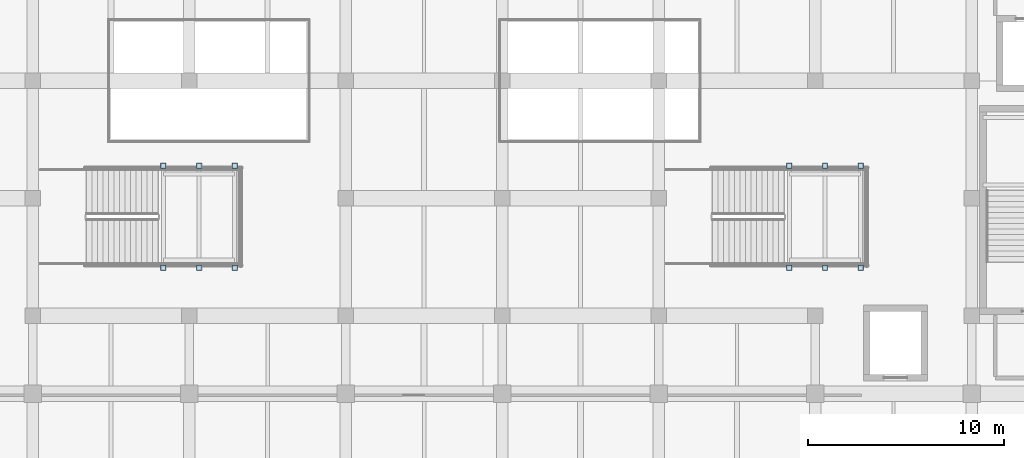
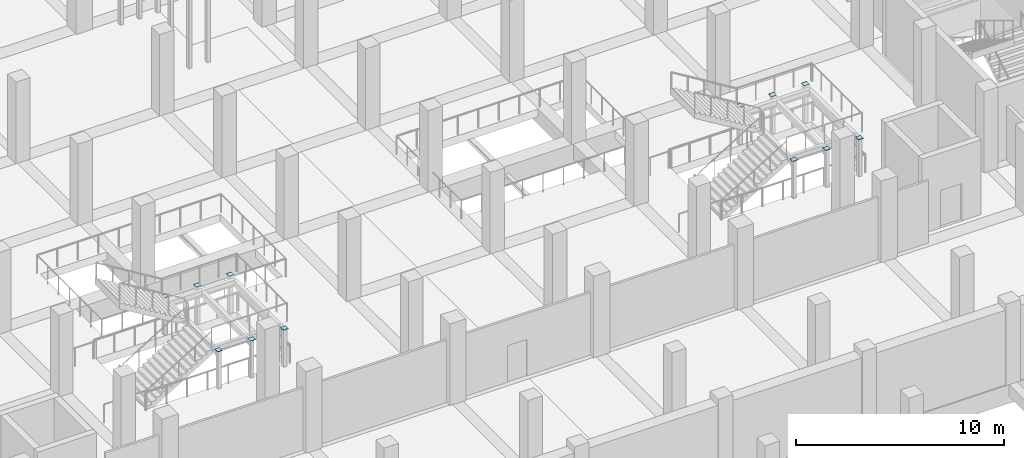
# One storey, part 19 of 36: 12 plates.
"""IFC4 building model written with IfcOpenShell, lengths in metres."""

from ifc_helpers import new_model, si_unit, direction, frame, origin, origin_2d, place, context, subcontext, project, spatial, rectangle, extrude, material, layer, layer_set, type_object, element, save


model = new_model("IFC4")

# Units and contexts
model_context = context("Model", 3, precision=1e-05, world=origin(), true_north=direction((0.0, 1.0)))
body_context = subcontext(model_context, "Body", "Model", "MODEL_VIEW")
ifc_project = project(units=[si_unit("LENGTHUNIT", "METRE"), si_unit("AREAUNIT", "SQUARE_METRE"), si_unit("VOLUMEUNIT", "CUBIC_METRE"), si_unit("PLANEANGLEUNIT", "RADIAN"), si_unit("MASSUNIT", "GRAM", prefix="KILO")], contexts=[model_context])

# Site, building, storey
site_placement = place(None, origin())
site = spatial("IfcSite", under=ifc_project, at=site_placement, CompositionType="ELEMENT")
building_placement = place(site_placement, origin())
building = spatial("IfcBuilding", under=site, at=building_placement, Name="Verrall Gate Interchange", CompositionType="ELEMENT")
storey_placement = place(building_placement, frame((0.0, 0.0, -4.800048828125)))
storey = spatial("IfcBuildingStorey", under=building, at=storey_placement, Name="B1", CompositionType="ELEMENT", Elevation=-4.800048828125)

# Plates
ifc_material = material(Name="Structural Steel CSA G40.21 350WT Cat 4", Category="steel")
ifc_layer = layer(ifc_material, 0.02001953125)
ifc_layer_set = layer_set([ifc_layer], Name="Structural Steel CSA G40.21 350WT Cat 4")
plate_type = type_object("IfcPlateType", Name="GP-01 Gusset Plate 20", PredefinedType="SHEET", material=ifc_layer_set)
for number, where, z_axis, x_axis, name in (
    (1, (58.669921875, 18.43994140625, 2.2099609375), (0.0, 0.0, 1.0), (1.0, 0.0, 0.0), "B1 ST-10 Cradle Cap Plate"),
    (2, (58.669921875, 23.659912109375, 2.2099609375), (0.0, 0.0, 1.0), (1.0, 0.0, 0.0), "B1 ST-10 Cradle Cap Plate"),
    (3, (60.4951171875, 18.43994140625, 2.2099609375), (0.0, 0.0, 1.0), (1.0, 0.0, 0.0), "B1 ST-10 Cradle Cap Plate"),
    (4, (60.4951171875, 23.659912109375, 2.2099609375), (0.0, 0.0, 1.0), (1.0, 0.0, 0.0), "B1 ST-10 Cradle Cap Plate"),
    (5, (62.320068359375, 18.43994140625, 2.2099609375), (0.0, 0.0, 1.0), (1.0, 0.0, 0.0), "B1 ST-10 Cradle Cap Plate"),
    (6, (62.320068359375, 23.659912109375, 2.2099609375), (0.0, 0.0, 1.0), (1.0, 0.0, 0.0), "B1 ST-10 Cradle Cap Plate"),
    (7, (90.669921875, 18.43994140625, 2.2099609375), (0.0, 0.0, 1.0), (1.0, 0.0, 0.0), "B1 ST-11 Cradle Cap Plate"),
    (8, (90.669921875, 23.659912109375, 2.2099609375), (0.0, 0.0, 1.0), (1.0, 0.0, 0.0), "B1 ST-11 Cradle Cap Plate"),
    (9, (92.4951171875, 18.43994140625, 2.2099609375), (0.0, 0.0, 1.0), (1.0, 0.0, 0.0), "B1 ST-11 Cradle Cap Plate"),
    (10, (92.4951171875, 23.659912109375, 2.2099609375), (0.0, 0.0, 1.0), (1.0, 0.0, 0.0), "B1 ST-11 Cradle Cap Plate"),
    (11, (94.320068359375, 18.43994140625, 2.2099609375), (0.0, 0.0, 1.0), (1.0, 0.0, 0.0), "B1 ST-11 Cradle Cap Plate"),
    (12, (94.320068359375, 23.659912109375, 2.2099609375), (0.0, 0.0, 1.0), (1.0, 0.0, 0.0), "B1 ST-11 Cradle Cap Plate"),
):
    element("IfcPlate", number, at=place(storey_placement, frame(where, z_axis=z_axis, x_axis=x_axis)), inside=storey, type_object=plate_type, Name=name, PredefinedType="SHEET", context=body_context, shape_type="SweptSolid", body=[
        extrude(rectangle(XDim=0.280029296875, YDim=0.280029296875, at=origin_2d()), origin(), (0.0, 0.0, 1.0), 0.02001953125),
    ])

save(model, "model.ifc")
